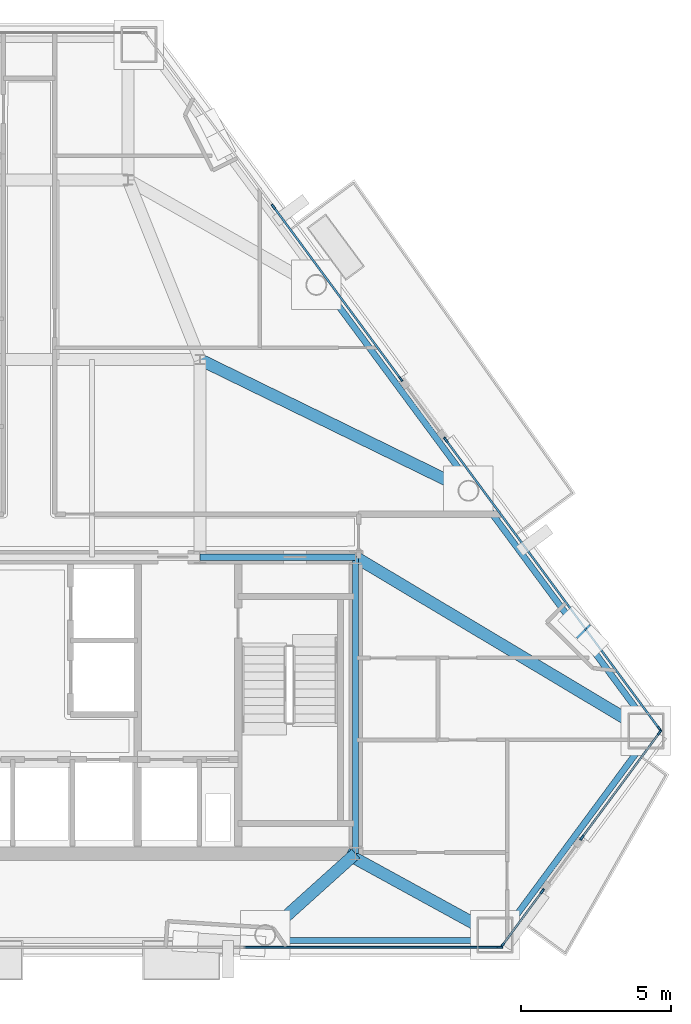
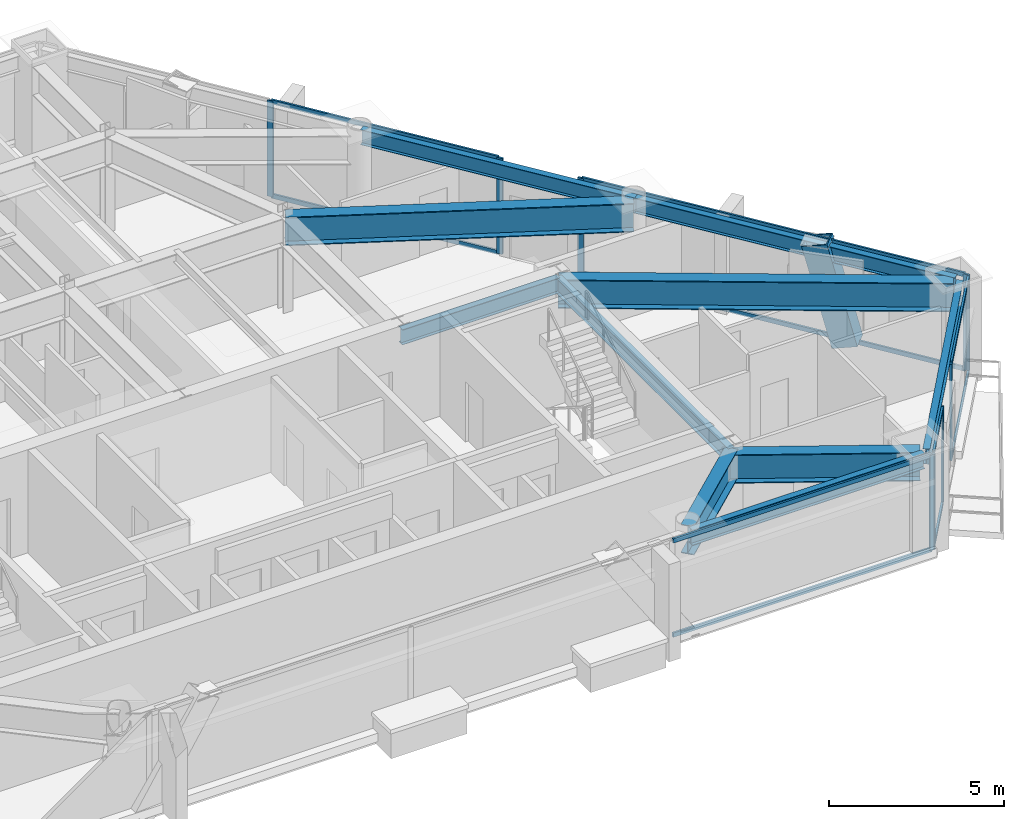
# One storey, part 5 of 11: 20 members, 10 beams, 5 elements without a shape of their own.
"""IFC4 building model written with IfcOpenShell, lengths in metres."""

from ifc_helpers import new_model, si_unit, direction, frame, origin, origin_2d, place, context, subcontext, project, spatial, rectangle, hollow_rectangle, i_section, extrude, material, layer, layer_set, material_profile, profile_set, type_object, element, aggregate, save


model = new_model("IFC4")

# Units and contexts
model_context = context("Model", 3, precision=1e-05, world=origin(), true_north=direction((0.0, 1.0)))
body_context = subcontext(model_context, "Body", "Model", "MODEL_VIEW")
ifc_project = project(units=[si_unit("LENGTHUNIT", "METRE"), si_unit("AREAUNIT", "SQUARE_METRE"), si_unit("VOLUMEUNIT", "CUBIC_METRE"), si_unit("PLANEANGLEUNIT", "RADIAN"), si_unit("MASSUNIT", "GRAM", prefix="KILO")], contexts=[model_context])

# Site, building, storey
site_placement = place(None, origin())
site = spatial("IfcSite", under=ifc_project, at=site_placement, CompositionType="ELEMENT")
building_placement = place(site_placement, origin())
building = spatial("IfcBuilding", under=site, at=building_placement, Name="Talgorran Terracotta Tower", CompositionType="ELEMENT")
storey_placement = place(building_placement, frame((0.0, 0.0, 140.10009765625)))
storey = spatial("IfcBuildingStorey", under=building, at=storey_placement, Name="L36", CompositionType="ELEMENT", Elevation=140.10009765625)

# Beams
ifc_material_1 = material(Name="Steel Grade 350 (350L0)", Category="steel")
ifc_material_profile_1 = material_profile(ifc_material_1, i_section(OverallWidth=0.39990234375, OverallDepth=1.0, WebThickness=0.01611328125, FlangeThickness=0.031005859375, at=origin_2d()), Name="1000WB296")
ifc_profile_set_1 = profile_set([ifc_material_profile_1], Name="Steel Grade 350 (350L0)")
beam_type_1 = type_object("IfcBeamType", Name="BM_1000WB296", PredefinedType="BEAM", material=ifc_profile_set_1)
beam_1_placement = place(storey_placement, frame((12.39990234375, -14.10009765625, 2.849853515625), z_axis=(-0.74306999476, -0.669213704945, 0.0), x_axis=(0.669213704945, -0.74306999476, 0.0)))
element("IfcBeam", 1, at=beam_1_placement, inside=storey, type_object=beam_type_1, Name="L36 South-East Core Tie Beam", PredefinedType="BEAM", context=body_context, shape_type="SweptSolid", body=[
    extrude(i_section(OverallWidth=0.39990234375, OverallDepth=1.0, WebThickness=0.01611328125, FlangeThickness=0.031005859375, at=origin_2d()), origin(), (0.0, 0.0, 1.0), 4.0625),
])
beam_2_placement = place(storey_placement, frame((17.056884765625, -16.81884765625, 2.849853515625), z_axis=(-0.876774230839, 0.480902223052, 0.0), x_axis=(-0.480902223052, -0.876774230839, 0.0)))
element("IfcBeam", 2, at=beam_2_placement, inside=storey, type_object=beam_type_1, Name="L36 Perimeter Step Girder 5", PredefinedType="BEAM", context=body_context, shape_type="SweptSolid", body=[
    extrude(i_section(OverallWidth=0.39990234375, OverallDepth=1.0, WebThickness=0.01611328125, FlangeThickness=0.031005859375, at=origin_2d()), origin(), (0.0, 0.0, 1.0), 5.6533203125),
])
beam_3_placement = place(storey_placement, frame((7.199951171875, 2.39990234375, 2.849853515625), z_axis=(0.898565721625, -0.438838972655, 0.0), x_axis=(0.438838972655, 0.898565721625, 0.0)))
element("IfcBeam", 3, at=beam_3_placement, inside=storey, type_object=beam_type_1, Name="L36 Floor Girder G07", PredefinedType="BEAM", context=body_context, shape_type="SweptSolid", body=[
    extrude(i_section(OverallWidth=0.39990234375, OverallDepth=1.0, WebThickness=0.01611328125, FlangeThickness=0.031005859375, at=origin_2d()), origin(), (0.0, 0.0, 1.0), 9.981689453125),
])
beam_4_placement = place(storey_placement, frame((12.39990234375, -4.199951171875, 2.849853515625), z_axis=(0.858174722871, -0.513357716436, 0.0), x_axis=(0.513357716436, 0.858174722871, 0.0)))
element("IfcBeam", 4, at=beam_4_placement, inside=storey, type_object=beam_type_1, Name="L36 Floor Girder G18", PredefinedType="BEAM", context=body_context, shape_type="SweptSolid", body=[
    extrude(i_section(OverallWidth=0.39990234375, OverallDepth=1.0, WebThickness=0.01611328125, FlangeThickness=0.031005859375, at=origin_2d()), origin(), (0.0, 0.0, 1.0), 11.298828125),
])
ifc_material_2 = material(Name="Steel S355 (300PLUS)", Category="steel")
ifc_material_profile_2 = material_profile(ifc_material_2, i_section(OverallWidth=0.209228515625, OverallDepth=0.532958984375, WebThickness=0.01025390625, FlangeThickness=0.015625, at=origin_2d()), Name="530UB92.4")
ifc_profile_set_2 = profile_set([ifc_material_profile_2], Name="Steel S355 (300PLUS)")
beam_type_2 = type_object("IfcBeamType", Name="BM_SP_530UB92", PredefinedType="SPANDREL", material=ifc_profile_set_2)
beam_5_placement = place(storey_placement, frame((9.381103515625, -16.998779296875, 3.08349609375), z_axis=(1.0, 0.0, 0.0), x_axis=(0.0, 1.0, 0.0)))
element("IfcBeam", 5, at=beam_5_placement, inside=storey, type_object=beam_type_2, Name="L36 Perimeter Spandrel Beam FC2-MC3", PredefinedType="SPANDREL", context=body_context, shape_type="SweptSolid", body=[
    extrude(i_section(OverallWidth=0.209228515625, OverallDepth=0.532958984375, WebThickness=0.01025390625, FlangeThickness=0.015625, at=origin_2d()), origin(), (0.0, 0.0, 1.0), 7.67578125),
])
beam_6_placement = place(storey_placement, frame((17.20166015625, -16.92578125, 3.08349609375), z_axis=(0.594369201234, 0.804192298288, 0.0), x_axis=(-0.804192298288, 0.594369201234, 0.0)))
element("IfcBeam", 6, at=beam_6_placement, inside=storey, type_object=beam_type_2, Name="L36 Perimeter Spandrel Beam MC3-MC4", PredefinedType="SPANDREL", context=body_context, shape_type="SweptSolid", body=[
    extrude(i_section(OverallWidth=0.209228515625, OverallDepth=0.532958984375, WebThickness=0.01025390625, FlangeThickness=0.015625, at=origin_2d()), origin(), (0.0, 0.0, 1.0), 8.478759765625),
])
beam_7_placement = place(storey_placement, frame((22.2412109375, -9.893310546875, 3.08349609375), z_axis=(-0.594352513119, 0.804204632011, 0.0), x_axis=(-0.804204632011, -0.594352513119, 0.0)))
element("IfcBeam", 7, at=beam_7_placement, inside=storey, type_object=beam_type_2, Name="L36 Perimeter Spandrel Beam MC4-FC3", PredefinedType="SPANDREL", context=body_context, shape_type="SweptSolid", body=[
    extrude(i_section(OverallWidth=0.209228515625, OverallDepth=0.532958984375, WebThickness=0.01025390625, FlangeThickness=0.015625, at=origin_2d()), origin(), (0.0, 0.0, 1.0), 9.97265625),
])
beam_8_placement = place(storey_placement, frame((16.31396484375, -1.873291015625, 3.08349609375), z_axis=(-0.594373393058, 0.804189200142, 0.0), x_axis=(-0.804189200142, -0.594373393058, 0.0)))
element("IfcBeam", 8, at=beam_8_placement, inside=storey, type_object=beam_type_2, Name="L36 Perimeter Spandrel Beam FC3-FC4", PredefinedType="SPANDREL", context=body_context, shape_type="SweptSolid", body=[
    extrude(i_section(OverallWidth=0.209228515625, OverallDepth=0.532958984375, WebThickness=0.01025390625, FlangeThickness=0.015625, at=origin_2d()), origin(), (0.0, 0.0, 1.0), 8.5478515625),
])
beam_9_placement = place(storey_placement, frame((12.39990234375, -14.10009765625, 3.08349609375), z_axis=(0.0, 1.0, 0.0), x_axis=(-1.0, 0.0, 0.0)))
element("IfcBeam", 9, at=beam_9_placement, inside=storey, type_object=beam_type_2, Name="L36 Core Frame Beam CFE", PredefinedType="SPANDREL", context=body_context, shape_type="SweptSolid", body=[
    extrude(i_section(OverallWidth=0.209228515625, OverallDepth=0.532958984375, WebThickness=0.01025390625, FlangeThickness=0.015625, at=origin_2d()), origin(), (0.0, 0.0, 1.0), 9.900146484375),
])
beam_10_placement = place(storey_placement, frame((7.199951171875, -4.199951171875, 3.08349609375), z_axis=(1.0, 0.0, 0.0), x_axis=(0.0, 1.0, 0.0)))
element("IfcBeam", 10, at=beam_10_placement, inside=storey, type_object=beam_type_2, Name="L36 Core Frame Beam CFN4", PredefinedType="SPANDREL", context=body_context, shape_type="SweptSolid", body=[
    extrude(i_section(OverallWidth=0.209228515625, OverallDepth=0.532958984375, WebThickness=0.01025390625, FlangeThickness=0.015625, at=origin_2d()), origin(), (0.0, 0.0, 1.0), 5.199951171875),
])

# Member
ifc_material_profile_3 = material_profile(ifc_material_1, hollow_rectangle(XDim=0.6201171875, YDim=0.780029296875, WallThickness=0.0419921875, at=origin_2d()), Name="WBOX780X620X42")
ifc_profile_set_3 = profile_set([ifc_material_profile_3], Name="Steel Grade 350 (350L0)")
member_type_1 = type_object("IfcMemberType", Name="MB_MEGA_780", PredefinedType="BRACE", material=ifc_profile_set_3)
member_1_placement = place(storey_placement, frame((20.324951171875, -6.997802734375, -0.025146484375), z_axis=(-0.180691172845, 0.17888564998, 0.967135266799), x_axis=(-0.703547356525, -0.710648377981, 0.0)))
element("IfcMember", 11, at=member_1_placement, inside=storey, type_object=member_type_1, Name="L36 Exterior Face Mega-Brace MB-2 (NEL)", PredefinedType="BRACE", context=body_context, shape_type="SweptSolid", body=[
    extrude(hollow_rectangle(XDim=0.6201171875, YDim=0.780029296875, WallThickness=0.0419921875, at=origin_2d()), origin(), (0.0, 0.0, 1.0), 3.515625),
])

# Curtain wall, member
ifc_material_3 = material(Name="Unitised Low-E Double Glazing", Category="glass")
ifc_layer = layer(ifc_material_3, 0.199951171875, Name="CW_SYS2_RES_LOW")
ifc_layer_set = layer_set([ifc_layer], Name="Unitised Low-E Double Glazing")
curtain_wall_type = type_object("IfcCurtainWallType", Name="CW_SYS2_RES_LOW", PredefinedType="NOTDEFINED", material=ifc_layer_set)
curtain_wall_1_placement = place(storey_placement, origin())
curtain_wall_1 = element("IfcCurtainWall", 12, at=curtain_wall_1_placement, inside=storey, type_object=curtain_wall_type, Name="CW-L36-F1", PredefinedType="NOTDEFINED")
ifc_material_4 = material(Name="Architectural Aluminium 6063-T6", Category="aluminium")
ifc_material_profile_4 = material_profile(ifc_material_4, rectangle(XDim=0.06494140625, YDim=0.18505859375, at=origin_2d()), Name="CWM65X185")
ifc_profile_set_4 = profile_set([ifc_material_profile_4], Name="Architectural Aluminium 6063-T6")
member_type_2 = type_object("IfcMemberType", Name="MUL_65X185", PredefinedType="MULLION", material=ifc_profile_set_4)
member_2_placement = place(storey_placement, frame((17.22607421875, -17.218994140625, 0.0), z_axis=(0.0, 0.0, 1.0), x_axis=(0.0, 1.0, 0.0)))
member_2 = element("IfcMember", 13, at=member_2_placement, type_object=member_type_2, Name="CW-L36-1 mullion 5", PredefinedType="MULLION", context=body_context, shape_type="SweptSolid", body=[
    extrude(rectangle(XDim=0.06494140625, YDim=0.18505859375, at=origin_2d()), origin(), (0.0, 0.0, 1.0), 3.349853515625),
])

# Curtain wall, members
curtain_wall_2_placement = place(storey_placement, origin())
curtain_wall_2 = element("IfcCurtainWall", 14, at=curtain_wall_2_placement, inside=storey, type_object=curtain_wall_type, Name="CW-L36-F30", PredefinedType="NOTDEFINED")
member_3_placement = place(storey_placement, frame((17.3017578125, -17.16064453125, 0.0), z_axis=(0.0, 0.0, 1.0), x_axis=(-0.804196851182, 0.594363041035, 0.0)))
member_3 = element("IfcMember", 15, at=member_3_placement, type_object=member_type_2, Name="CW-L36-30 mullion 1", PredefinedType="MULLION", context=body_context, shape_type="SweptSolid", body=[
    extrude(rectangle(XDim=0.06494140625, YDim=0.18505859375, at=origin_2d()), origin(), (0.0, 0.0, 1.0), 3.349853515625),
])
member_4_placement = place(storey_placement, frame((18.634765625, -15.356689453125, 0.0), z_axis=(0.0, 0.0, 1.0), x_axis=(-0.804196851182, 0.594363041035, 0.0)))
member_4 = element("IfcMember", 16, at=member_4_placement, type_object=member_type_2, Name="CW-L36-30 mullion 2", PredefinedType="MULLION", context=body_context, shape_type="SweptSolid", body=[
    extrude(rectangle(XDim=0.06494140625, YDim=0.18505859375, at=origin_2d()), origin(), (0.0, 0.0, 1.0), 3.349853515625),
])

curtain_wall_3_placement = place(storey_placement, origin())
curtain_wall_3 = element("IfcCurtainWall", 17, at=curtain_wall_3_placement, inside=storey, type_object=curtain_wall_type, Name="CW-L36-F31", PredefinedType="NOTDEFINED")
member_5_placement = place(storey_placement, frame((19.957275390625, -13.5673828125, 0.0), z_axis=(0.0, 0.0, 1.0), x_axis=(-0.804199607177, 0.594359312046, 0.0)))
member_5 = element("IfcMember", 18, at=member_5_placement, type_object=member_type_2, Name="CW-L36-31 mullion 1", PredefinedType="MULLION", context=body_context, shape_type="SweptSolid", body=[
    extrude(rectangle(XDim=0.06494140625, YDim=0.18505859375, at=origin_2d()), origin(), (0.0, 0.0, 1.0), 3.349853515625),
])
member_6_placement = place(storey_placement, frame((22.550537109375, -10.05859375, 0.0), z_axis=(0.0, 0.0, 1.0), x_axis=(-0.804199607177, 0.594359312046, 0.0)))
member_6 = element("IfcMember", 19, at=member_6_placement, type_object=member_type_2, Name="CW-L36-31 mullion 2", PredefinedType="MULLION", context=body_context, shape_type="SweptSolid", body=[
    extrude(rectangle(XDim=0.06494140625, YDim=0.18505859375, at=origin_2d()), origin(), (0.0, 0.0, 1.0), 3.349853515625),
])

curtain_wall_4_placement = place(storey_placement, origin())
curtain_wall_4 = element("IfcCurtainWall", 20, at=curtain_wall_4_placement, inside=storey, type_object=curtain_wall_type, Name="CW-L36-F40", PredefinedType="NOTDEFINED")
member_7_placement = place(storey_placement, frame((22.550537109375, -9.94189453125, 0.0), z_axis=(0.0, 0.0, 1.0), x_axis=(-0.804203151631, -0.594354516182, 0.0)))
member_7 = element("IfcMember", 21, at=member_7_placement, type_object=member_type_2, Name="CW-L36-40 mullion 1", PredefinedType="MULLION", context=body_context, shape_type="SweptSolid", body=[
    extrude(rectangle(XDim=0.06494140625, YDim=0.18505859375, at=origin_2d()), origin(), (0.0, 0.0, 1.0), 3.349853515625),
])
member_8_placement = place(storey_placement, frame((15.40966796875, -0.279541015625, 0.0), z_axis=(0.0, 0.0, 1.0), x_axis=(-0.804203151631, -0.594354516182, 0.0)))
member_8 = element("IfcMember", 22, at=member_8_placement, type_object=member_type_2, Name="CW-L36-40 mullion 2", PredefinedType="MULLION", context=body_context, shape_type="SweptSolid", body=[
    extrude(rectangle(XDim=0.06494140625, YDim=0.18505859375, at=origin_2d()), origin(), (0.0, 0.0, 1.0), 3.349853515625),
])

curtain_wall_5_placement = place(storey_placement, origin())
curtain_wall_5 = element("IfcCurtainWall", 23, at=curtain_wall_5_placement, inside=storey, type_object=curtain_wall_type, Name="CW-L36-F41", PredefinedType="NOTDEFINED")
member_9_placement = place(storey_placement, frame((13.90869140625, 1.7509765625, 0.0), z_axis=(0.0, 0.0, 1.0), x_axis=(-0.804201449574, -0.594356819177, 0.0)))
member_9 = element("IfcMember", 24, at=member_9_placement, type_object=member_type_2, Name="CW-L36-41 mullion 1", PredefinedType="MULLION", context=body_context, shape_type="SweptSolid", body=[
    extrude(rectangle(XDim=0.06494140625, YDim=0.18505859375, at=origin_2d()), origin(), (0.0, 0.0, 1.0), 3.349853515625),
])
member_10_placement = place(storey_placement, frame((9.65771484375, 7.5029296875, 0.0), z_axis=(0.0, 0.0, 1.0), x_axis=(-0.804201449574, -0.594356819177, 0.0)))
member_10 = element("IfcMember", 25, at=member_10_placement, type_object=member_type_2, Name="CW-L36-41 mullion 2", PredefinedType="MULLION", context=body_context, shape_type="SweptSolid", body=[
    extrude(rectangle(XDim=0.06494140625, YDim=0.18505859375, at=origin_2d()), origin(), (0.0, 0.0, 1.0), 3.349853515625),
])

# Member
ifc_material_profile_5 = material_profile(ifc_material_4, rectangle(XDim=0.06494140625, YDim=0.14990234375, at=origin_2d()), Name="CWT65X150")
ifc_profile_set_5 = profile_set([ifc_material_profile_5], Name="Architectural Aluminium 6063-T6")
member_type_3 = type_object("IfcMemberType", Name="TRN_65X150", PredefinedType="USERDEFINED", material=ifc_profile_set_5)
member_11_placement = place(storey_placement, frame((8.661865234375, -17.218994140625, 0.032470703125), z_axis=(1.0, 0.0, 0.0), x_axis=(0.0, 1.0, 0.0)))
member_11 = element("IfcMember", 26, at=member_11_placement, type_object=member_type_3, Name="CW-L36-1 transom 4.1", ObjectType="TRANSOM", PredefinedType="USERDEFINED", context=body_context, shape_type="SweptSolid", body=[
    extrude(rectangle(XDim=0.06494140625, YDim=0.14990234375, at=origin_2d()), origin(), (0.0, 0.0, 1.0), 8.53173828125),
])

member_12_placement = place(storey_placement, frame((8.661865234375, -17.218994140625, 3.3173828125), z_axis=(1.0, 0.0, 0.0), x_axis=(0.0, 1.0, 0.0)))
member_12 = element("IfcMember", 27, at=member_12_placement, type_object=member_type_3, Name="CW-L36-1 transom 4.2", ObjectType="TRANSOM", PredefinedType="USERDEFINED", context=body_context, shape_type="SweptSolid", body=[
    extrude(rectangle(XDim=0.06494140625, YDim=0.14990234375, at=origin_2d()), origin(), (0.0, 0.0, 1.0), 8.53173828125),
])

aggregate(curtain_wall_1, [member_2, member_11, member_12])

member_13_placement = place(storey_placement, frame((17.321044921875, -17.134521484375, 0.032470703125), z_axis=(0.594299658909, 0.804243691564, 0.0), x_axis=(-0.804243691564, 0.594299658909, 0.0)))
member_13 = element("IfcMember", 28, at=member_13_placement, type_object=member_type_3, Name="CW-L36-30 transom 1.1", ObjectType="TRANSOM", PredefinedType="USERDEFINED", context=body_context, shape_type="SweptSolid", body=[
    extrude(rectangle(XDim=0.06494140625, YDim=0.14990234375, at=origin_2d()), origin(), (0.0, 0.0, 1.0), 2.177978515625),
])

member_14_placement = place(storey_placement, frame((17.321044921875, -17.134521484375, 3.3173828125), z_axis=(0.594299658909, 0.804243691564, 0.0), x_axis=(-0.804243691564, 0.594299658909, 0.0)))
member_14 = element("IfcMember", 29, at=member_14_placement, type_object=member_type_3, Name="CW-L36-30 transom 1.2", ObjectType="TRANSOM", PredefinedType="USERDEFINED", context=body_context, shape_type="SweptSolid", body=[
    extrude(rectangle(XDim=0.06494140625, YDim=0.14990234375, at=origin_2d()), origin(), (0.0, 0.0, 1.0), 2.177978515625),
])

aggregate(curtain_wall_2, [member_3, member_4, member_13, member_14])

member_15_placement = place(storey_placement, frame((19.9765625, -13.541259765625, 0.032470703125), z_axis=(0.594368701422, 0.804192667692, 0.0), x_axis=(-0.804192667692, 0.594368701422, 0.0)))
member_15 = element("IfcMember", 30, at=member_15_placement, type_object=member_type_3, Name="CW-L36-31 transom 1.1", ObjectType="TRANSOM", PredefinedType="USERDEFINED", context=body_context, shape_type="SweptSolid", body=[
    extrude(rectangle(XDim=0.06494140625, YDim=0.14990234375, at=origin_2d()), origin(), (0.0, 0.0, 1.0), 4.298095703125),
])

member_16_placement = place(storey_placement, frame((19.9765625, -13.541259765625, 3.3173828125), z_axis=(0.594368701422, 0.804192667692, 0.0), x_axis=(-0.804192667692, 0.594368701422, 0.0)))
member_16 = element("IfcMember", 31, at=member_16_placement, type_object=member_type_3, Name="CW-L36-31 transom 1.2", ObjectType="TRANSOM", PredefinedType="USERDEFINED", context=body_context, shape_type="SweptSolid", body=[
    extrude(rectangle(XDim=0.06494140625, YDim=0.14990234375, at=origin_2d()), origin(), (0.0, 0.0, 1.0), 4.298095703125),
])

aggregate(curtain_wall_3, [member_5, member_6, member_15, member_16])

member_17_placement = place(storey_placement, frame((22.53125, -9.915771484375, 0.032470703125), z_axis=(-0.594346252733, 0.804209258752, 0.0), x_axis=(-0.804209258752, -0.594346252733, 0.0)))
member_17 = element("IfcMember", 32, at=member_17_placement, type_object=member_type_3, Name="CW-L36-40 transom 1.1", ObjectType="TRANSOM", PredefinedType="USERDEFINED", context=body_context, shape_type="SweptSolid", body=[
    extrude(rectangle(XDim=0.06494140625, YDim=0.14990234375, at=origin_2d()), origin(), (0.0, 0.0, 1.0), 11.94970703125),
])

member_18_placement = place(storey_placement, frame((22.53125, -9.915771484375, 3.3173828125), z_axis=(-0.594346252733, 0.804209258752, 0.0), x_axis=(-0.804209258752, -0.594346252733, 0.0)))
member_18 = element("IfcMember", 33, at=member_18_placement, type_object=member_type_3, Name="CW-L36-40 transom 1.2", ObjectType="TRANSOM", PredefinedType="USERDEFINED", context=body_context, shape_type="SweptSolid", body=[
    extrude(rectangle(XDim=0.06494140625, YDim=0.14990234375, at=origin_2d()), origin(), (0.0, 0.0, 1.0), 11.94970703125),
])

aggregate(curtain_wall_4, [member_7, member_8, member_17, member_18])

member_19_placement = place(storey_placement, frame((13.889404296875, 1.777099609375, 0.032470703125), z_axis=(-0.5943523178, 0.804204776363, 0.0), x_axis=(-0.804204776363, -0.5943523178, 0.0)))
member_19 = element("IfcMember", 34, at=member_19_placement, type_object=member_type_3, Name="CW-L36-41 transom 1.1", ObjectType="TRANSOM", PredefinedType="USERDEFINED", context=body_context, shape_type="SweptSolid", body=[
    extrude(rectangle(XDim=0.06494140625, YDim=0.14990234375, at=origin_2d()), origin(), (0.0, 0.0, 1.0), 7.08740234375),
])

member_20_placement = place(storey_placement, frame((13.889404296875, 1.777099609375, 3.3173828125), z_axis=(-0.5943523178, 0.804204776363, 0.0), x_axis=(-0.804204776363, -0.5943523178, 0.0)))
member_20 = element("IfcMember", 35, at=member_20_placement, type_object=member_type_3, Name="CW-L36-41 transom 1.2", ObjectType="TRANSOM", PredefinedType="USERDEFINED", context=body_context, shape_type="SweptSolid", body=[
    extrude(rectangle(XDim=0.06494140625, YDim=0.14990234375, at=origin_2d()), origin(), (0.0, 0.0, 1.0), 7.08740234375),
])

aggregate(curtain_wall_5, [member_9, member_10, member_19, member_20])

save(model, "model.ifc")
